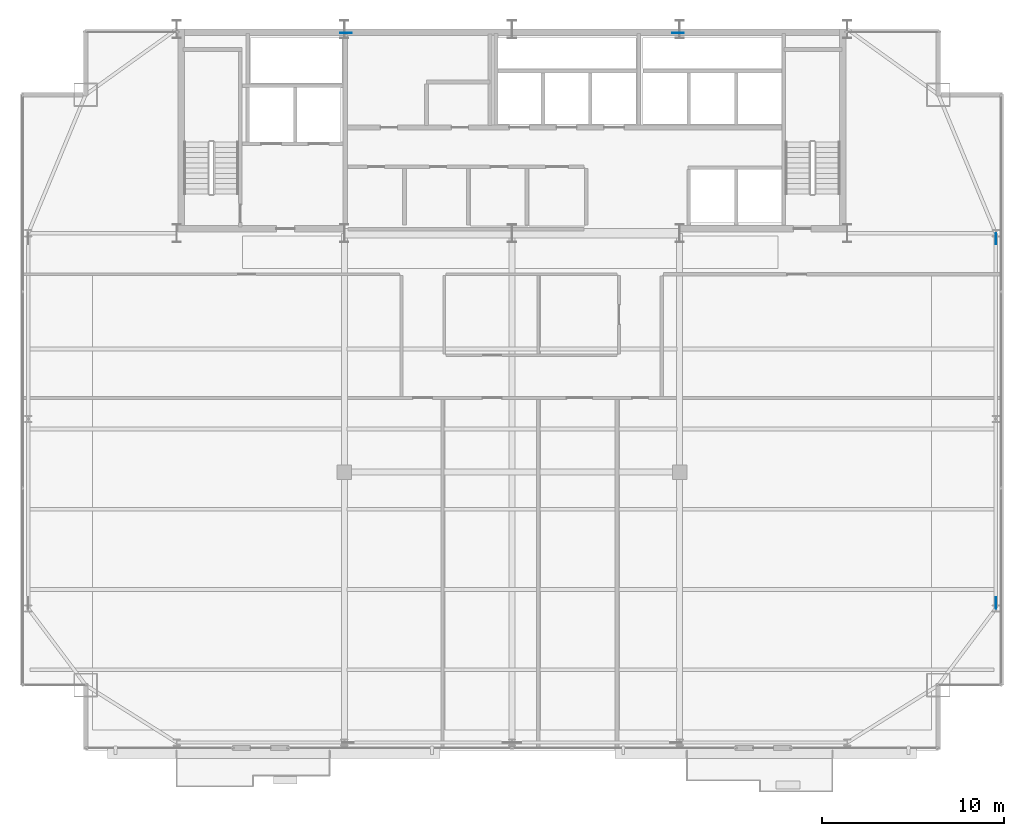
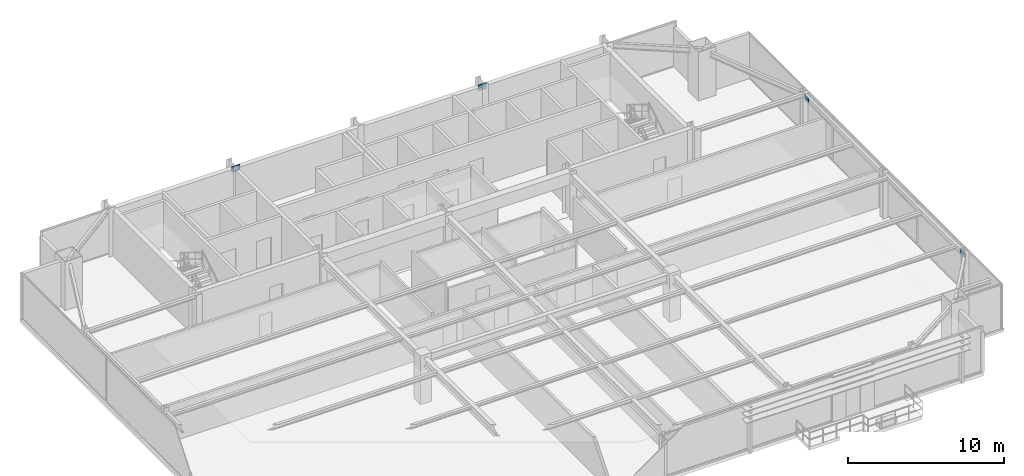
# One storey, part 26 of 31: 4 plates.
"""IFC4 building model written with IfcOpenShell, lengths in metres."""

from ifc_helpers import new_model, si_unit, direction, frame, origin, origin_2d, place, context, subcontext, project, spatial, rectangle, extrude, source, transform, mapped, material, layer, layer_set, type_object, type_shapes, element, save


model = new_model("IFC4")

# Units and contexts
model_context = context("Model", 3, precision=1e-05, world=origin(), true_north=direction((0.0, 1.0)))
body_context = subcontext(model_context, "Body", "Model", "MODEL_VIEW")
ifc_project = project(units=[si_unit("LENGTHUNIT", "METRE"), si_unit("AREAUNIT", "SQUARE_METRE"), si_unit("VOLUMEUNIT", "CUBIC_METRE"), si_unit("PLANEANGLEUNIT", "RADIAN"), si_unit("MASSUNIT", "GRAM", prefix="KILO")], contexts=[model_context])

# Site, building, storey
site_placement = place(None, origin())
site = spatial("IfcSite", under=ifc_project, at=site_placement, CompositionType="ELEMENT")
building_placement = place(site_placement, origin())
building = spatial("IfcBuilding", under=site, at=building_placement, Name="Varnel Quay Broadcast Tower", CompositionType="ELEMENT")
storey_placement = place(building_placement, frame((0.0, 0.0, 157.199951171875)))
storey = spatial("IfcBuildingStorey", under=building, at=storey_placement, Name="L38", CompositionType="ELEMENT", Elevation=157.199951171875)

# Plates
ifc_material = material(Name="Structural Steel CSA G40.21 350WT", Category="steel")
ifc_layer_1 = layer(ifc_material, 0.0400390625, Name="Structural Steel CSA G40.21 350WT")
ifc_layer_set_1 = layer_set([ifc_layer_1], Name="Structural Steel CSA G40.21 350WT")
plate_type_1 = type_object("IfcPlateType", Name="Plate_EmbedPlate", PredefinedType="USERDEFINED", material=ifc_layer_set_1)
shared_shape_1 = source(origin(), body_context, "Body", "SweptSolid", [
    extrude(rectangle(XDim=0.639892578125, YDim=0.0400390625, at=origin_2d()), origin(), (0.0, 0.0, 1.0), 0.449951171875),
])
type_shapes(plate_type_1, [shared_shape_1])
for number, where, z_axis, x_axis, name in (
    (1, (43.106689453125, 46.580078125, 3.2294921875), (0.0, 0.0, 1.0), (1.0, 0.0, 0.0), "Zone 3 Mega-Brace N-CT1 Diag A Wall Cast-In Embed Plate P1"),
    (2, (24.893310546875, 46.580078125, 3.2294921875), (0.0, 0.0, 1.0), (1.0, 0.0, 0.0), "Zone 3 Mega-Brace N-CT1 Diag B2 Wall Cast-In Embed Plate P1"),
):
    element("IfcPlate", number, at=place(storey_placement, frame(where, z_axis=z_axis, x_axis=x_axis)), inside=storey, type_object=plate_type_1, Name=name, ObjectType="EMBED_PLATE", PredefinedType="USERDEFINED", context=body_context, shape_type="MappedRepresentation", body=[
        mapped(shared_shape_1, transform((0.0, 0.0, 0.0), x_axis=(1.0, 0.0, 0.0), y_axis=(0.0, 1.0, 0.0), z_axis=(0.0, 0.0, 1.0), scale=1.0)),
    ])
ifc_layer_2 = layer(ifc_material, 0.031982421875, Name="Structural Steel CSA G40.21 350WT")
ifc_layer_set_2 = layer_set([ifc_layer_2], Name="Structural Steel CSA G40.21 350WT")
plate_type_2 = type_object("IfcPlateType", Name="Plate_EndCap", PredefinedType="USERDEFINED", material=ifc_layer_set_2)
shared_shape_2 = source(origin(), body_context, "Body", "SweptSolid", [
    extrude(rectangle(XDim=0.6201171875, YDim=0.031982421875, at=origin_2d()), origin(), (0.0, 0.0, 1.0), 0.3798828125),
])
type_shapes(plate_type_2, [shared_shape_2])
for number, where, z_axis, x_axis, name in (
    (3, (60.550048828125, 35.292236328125, 3.1171875), (0.0, 0.0, 1.0), (0.0, 1.0, 0.0), "Zone 3 Mega-Brace E-FT1 Diag A End Connection Plate P1"),
    (4, (60.550048828125, 15.307861328125, 3.1171875), (0.0, 0.0, 1.0), (0.0, 1.0, 0.0), "Zone 3 Mega-Brace E-FT1 Diag B2 End Connection Plate P1"),
):
    element("IfcPlate", number, at=place(storey_placement, frame(where, z_axis=z_axis, x_axis=x_axis)), inside=storey, type_object=plate_type_2, Name=name, ObjectType="CAP_PLATE", PredefinedType="USERDEFINED", context=body_context, shape_type="MappedRepresentation", body=[
        mapped(shared_shape_2, transform((0.0, 0.0, 0.0), x_axis=(1.0, 0.0, 0.0), y_axis=(0.0, 1.0, 0.0), z_axis=(0.0, 0.0, 1.0), scale=1.0)),
    ])

save(model, "model.ifc")
